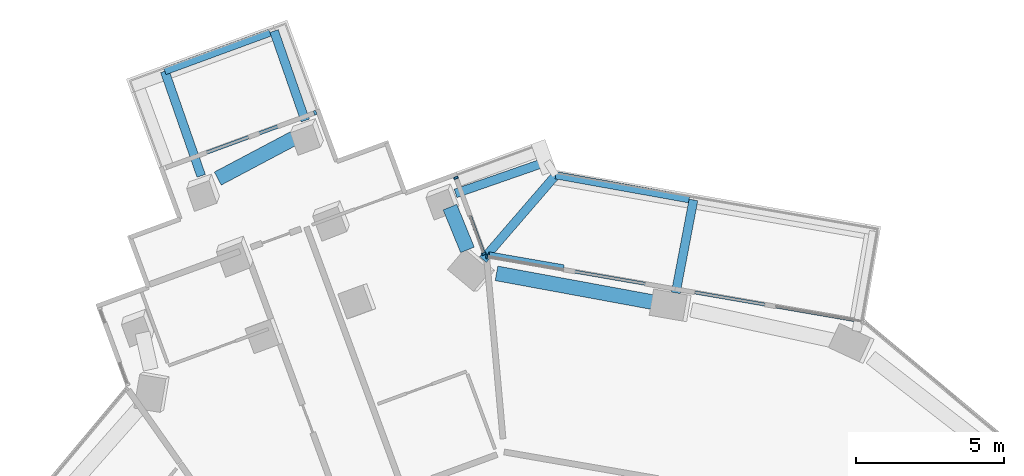
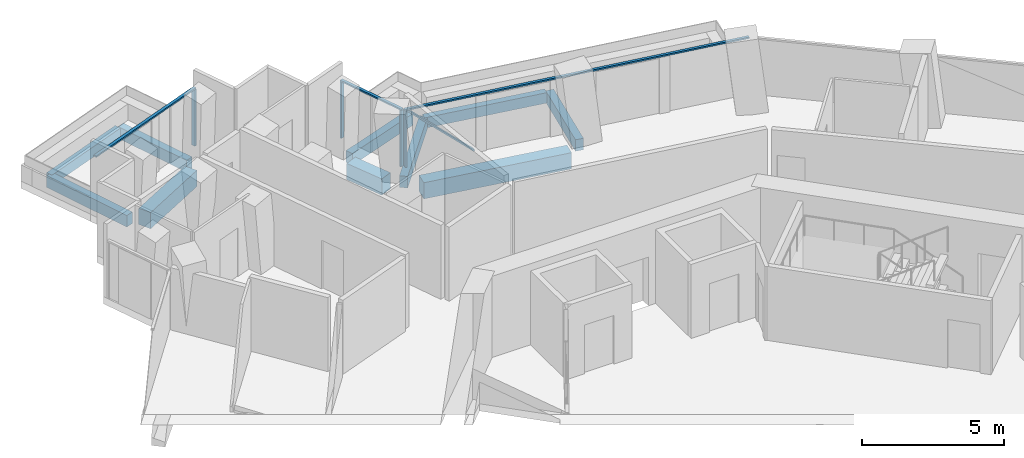
# One storey, part 8 of 24: 10 beams, 8 members, 3 elements without a shape of their own.
"""IFC4 building model written with IfcOpenShell, lengths in metres."""

from ifc_helpers import new_model, si_unit, direction, frame, origin, origin_2d, place, context, subcontext, project, spatial, rectangle, extrude, material, layer, layer_set, material_profile, profile_set, type_object, element, aggregate, save


model = new_model("IFC4")

# Units and contexts
model_context = context("Model", 3, precision=1e-05, world=origin(), true_north=direction((0.0, 1.0)))
body_context = subcontext(model_context, "Body", "Model", "MODEL_VIEW")
ifc_project = project(units=[si_unit("LENGTHUNIT", "METRE"), si_unit("AREAUNIT", "SQUARE_METRE"), si_unit("VOLUMEUNIT", "CUBIC_METRE"), si_unit("PLANEANGLEUNIT", "RADIAN"), si_unit("MASSUNIT", "GRAM", prefix="KILO")], contexts=[model_context])

# Site, building, storey
site_placement = place(None, origin())
site = spatial("IfcSite", under=ifc_project, at=site_placement, CompositionType="ELEMENT")
building_placement = place(site_placement, origin())
building = spatial("IfcBuilding", under=site, at=building_placement, Name="Verdalira Terraces Hotel", CompositionType="ELEMENT")
storey_placement = place(building_placement, frame((0.0, 0.0, 115.0)))
storey = spatial("IfcBuildingStorey", under=building, at=storey_placement, Name="L27", CompositionType="ELEMENT", Elevation=115.0)

# Beams
ifc_material_1 = material(Name="Concrete C40", Category="concrete")
ifc_material_profile_1 = material_profile(ifc_material_1, rectangle(XDim=0.300049, YDim=0.5, at=origin_2d()), Name="RC 300X500")
ifc_profile_set_1 = profile_set([ifc_material_profile_1], Name="Concrete C40")
beam_type_1 = type_object("IfcBeamType", Name="Balcony cantilever beam RC 300X500 C40", PredefinedType="BEAM", material=ifc_profile_set_1)
beam_1_placement = place(storey_placement, frame((-8.389404, 29.531006, -0.560059), z_axis=(-0.328836729, 0.944386788, 0.0), x_axis=(-0.944386788, -0.328836729, 0.0)))
element("IfcBeam", 1, at=beam_1_placement, inside=storey, type_object=beam_type_1, Name="Balcony cantilever beam R05-1", PredefinedType="BEAM", context=body_context, shape_type="SweptSolid", body=[
    extrude(rectangle(XDim=0.300049, YDim=0.5, at=origin_2d()), origin(), (0.0, 0.0, 1.0), 3.205078),
])
beam_2_placement = place(storey_placement, frame((-11.9104, 27.658447, -0.560059), z_axis=(-0.328896905, 0.944365832, 0.0), x_axis=(-0.944365832, -0.328896905, 0.0)))
element("IfcBeam", 2, at=beam_2_placement, inside=storey, type_object=beam_type_1, Name="Balcony cantilever beam R05-2", PredefinedType="BEAM", context=body_context, shape_type="SweptSolid", body=[
    extrude(rectangle(XDim=0.300049, YDim=0.5, at=origin_2d()), origin(), (0.0, 0.0, 1.0), 3.749268),
])
beam_3_placement = place(storey_placement, frame((4.15332, 23.696777, -0.560059), z_axis=(0.187410026, 0.982281773, 0.0), x_axis=(-0.982281773, 0.187410026, 0.0)))
element("IfcBeam", 3, at=beam_3_placement, inside=storey, type_object=beam_type_1, Name="Balcony cantilever beam R41-2", PredefinedType="BEAM", context=body_context, shape_type="SweptSolid", body=[
    extrude(rectangle(XDim=0.300049, YDim=0.5, at=origin_2d()), origin(), (0.0, 0.0, 1.0), 3.200684),
])
beam_4_placement = place(storey_placement, frame((-2.37207, 24.824707, -0.560059), z_axis=(0.653432697, 0.756984617, 0.0), x_axis=(-0.756984617, 0.653432697, 0.0)))
element("IfcBeam", 4, at=beam_4_placement, inside=storey, type_object=beam_type_1, Name="Balcony cantilever beam R41-3", PredefinedType="BEAM", context=body_context, shape_type="SweptSolid", body=[
    extrude(rectangle(XDim=0.300049, YDim=0.5, at=origin_2d()), origin(), (0.0, 0.0, 1.0), 3.77002),
])
beam_5_placement = place(storey_placement, frame((-3.298828, 27.062012, -0.560059), z_axis=(0.944365805, 0.328896983, 0.0), x_axis=(-0.328896983, 0.944365805, 0.0)))
element("IfcBeam", 5, at=beam_5_placement, inside=storey, type_object=beam_type_1, Name="Balcony cantilever beam R41-4", PredefinedType="BEAM", context=body_context, shape_type="SweptSolid", body=[
    extrude(rectangle(XDim=0.300049, YDim=0.5, at=origin_2d()), origin(), (0.0, 0.0, 1.0), 3.270508),
])
ifc_material_2 = material(Name="Concrete C40", Category="concrete")
ifc_material_profile_2 = material_profile(ifc_material_2, rectangle(XDim=0.25, YDim=0.449951, at=origin_2d()), Name="RC 250X450")
ifc_profile_set_2 = profile_set([ifc_material_profile_2], Name="Concrete C40")
beam_type_2 = type_object("IfcBeamType", Name="Balcony edge beam RC 250X450 C40", PredefinedType="BEAM", material=ifc_profile_set_2)
beam_6_placement = place(storey_placement, frame((-9.584229, 32.506104, -0.534912), z_axis=(-0.938722913, -0.344672732, 0.0), x_axis=(0.344672732, -0.938722913, 0.0)))
element("IfcBeam", 6, at=beam_6_placement, inside=storey, type_object=beam_type_2, Name="Balcony edge beam R05-1", PredefinedType="BEAM", context=body_context, shape_type="SweptSolid", body=[
    extrude(rectangle(XDim=0.25, YDim=0.449951, at=origin_2d()), origin(), (0.0, 0.0, 1.0), 3.791748),
])
beam_7_placement = place(storey_placement, frame((4.605469, 26.867432, -0.534912), z_axis=(-0.984240813, 0.176833314, 0.0), x_axis=(-0.176833314, -0.984240813, 0.0)))
element("IfcBeam", 7, at=beam_7_placement, inside=storey, type_object=beam_type_2, Name="Balcony edge beam R41-2", PredefinedType="BEAM", context=body_context, shape_type="SweptSolid", body=[
    extrude(rectangle(XDim=0.25, YDim=0.449951, at=origin_2d()), origin(), (0.0, 0.0, 1.0), 4.586426),
])

# Curtain wall, members
ifc_material_3 = material(Name="Clear glass", Category="glass")
ifc_layer_1 = layer(ifc_material_3, 0.14990234375)
ifc_layer_set_1 = layer_set([ifc_layer_1], Name="CW1 curtain wall")
curtain_wall_type_1 = type_object("IfcCurtainWallType", Name="CW1 curtain wall", PredefinedType="NOTDEFINED", material=ifc_layer_set_1)
curtain_wall_1_placement = place(storey_placement, origin())
curtain_wall_1 = element("IfcCurtainWall", 8, at=curtain_wall_1_placement, inside=storey, type_object=curtain_wall_type_1, Name="CW1 curtain wall L27 edge 41", PredefinedType="NOTDEFINED")
ifc_material_4 = material(Name="Terracotta frame", Category="masonry")
ifc_material_profile_3 = material_profile(ifc_material_4, rectangle(XDim=0.060059, YDim=0.149902, at=origin_2d()), Name="MU 60x150")
ifc_profile_set_3 = profile_set([ifc_material_profile_3], Name="Terracotta frame")
member_type_1 = type_object("IfcMemberType", Name="CW1 mullion 60x150", PredefinedType="MULLION", material=ifc_profile_set_3)
member_1_placement = place(storey_placement, frame((-2.241943, 24.93335, 0.0), z_axis=(0.0, 0.0, 1.0), x_axis=(-0.98528883, 0.170897402, 0.0)))
member_1 = element("IfcMember", 9, at=member_1_placement, type_object=member_type_1, Name="CW1 mullion", PredefinedType="MULLION", context=body_context, shape_type="SweptSolid", body=[
    extrude(rectangle(XDim=0.060059, YDim=0.149902, at=origin_2d()), origin(), (0.0, 0.0, 1.0), 2.425049),
])
ifc_material_5 = material(Name="Terracotta frame", Category="masonry")
ifc_material_profile_4 = material_profile(ifc_material_5, rectangle(XDim=0.110107, YDim=0.064941, at=origin_2d()), Name="TR 65x110")
ifc_profile_set_4 = profile_set([ifc_material_profile_4], Name="Terracotta frame")
member_type_2 = type_object("IfcMemberType", Name="CW1 transom 65x110", PredefinedType="USERDEFINED", material=ifc_profile_set_4)
member_2_placement = place(storey_placement, frame((10.497559, 22.723633, 2.45752), z_axis=(-0.985287979, 0.170902309, 0.0), x_axis=(-0.170902309, -0.985287979, 0.0)))
member_2 = element("IfcMember", 10, at=member_2_placement, type_object=member_type_2, Name="CW1 transom", ObjectType="TRANSOM", PredefinedType="USERDEFINED", context=body_context, shape_type="SweptSolid", body=[
    extrude(rectangle(XDim=0.110107, YDim=0.064941, at=origin_2d()), origin(), (0.0, 0.0, 1.0), 12.959717),
])

ifc_material_6 = material(Name="Clear glass", Category="glass")
ifc_layer_2 = layer(ifc_material_6, 0.14990234375)
ifc_layer_set_2 = layer_set([ifc_layer_2], Name="CW2 curtain wall")
curtain_wall_type_2 = type_object("IfcCurtainWallType", Name="CW2 curtain wall", PredefinedType="NOTDEFINED", material=ifc_layer_set_2)
curtain_wall_2_placement = place(storey_placement, origin())
curtain_wall_2 = element("IfcCurtainWall", 11, at=curtain_wall_2_placement, inside=storey, type_object=curtain_wall_type_2, Name="CW2 curtain wall L27 edge 0", PredefinedType="NOTDEFINED")
ifc_material_7 = material(Name="Terracotta frame", Category="masonry")
ifc_material_profile_5 = material_profile(ifc_material_7, rectangle(XDim=0.070068, YDim=0.149902, at=origin_2d()), Name="MU 70x150")
ifc_profile_set_5 = profile_set([ifc_material_profile_5], Name="Terracotta frame")
member_type_3 = type_object("IfcMemberType", Name="CW2 mullion 70x150", PredefinedType="MULLION", material=ifc_profile_set_5)
member_3_placement = place(storey_placement, frame((-2.341064, 25.019287, 0.0), z_axis=(0.0, 0.0, 1.0), x_axis=(-0.344642923, 0.938733858, 0.0)))
member_3 = element("IfcMember", 12, at=member_3_placement, type_object=member_type_3, Name="CW2 mullion", PredefinedType="MULLION", context=body_context, shape_type="SweptSolid", body=[
    extrude(rectangle(XDim=0.070068, YDim=0.149902, at=origin_2d()), origin(), (0.0, 0.0, 1.0), 2.425049),
])
member_4_placement = place(storey_placement, frame((-3.285156, 27.59082, 0.0), z_axis=(0.0, 0.0, 1.0), x_axis=(-0.344642923, 0.938733858, 0.0)))
member_4 = element("IfcMember", 13, at=member_4_placement, type_object=member_type_3, Name="CW2 mullion", PredefinedType="MULLION", context=body_context, shape_type="SweptSolid", body=[
    extrude(rectangle(XDim=0.070068, YDim=0.149902, at=origin_2d()), origin(), (0.0, 0.0, 1.0), 2.425049),
])
ifc_material_8 = material(Name="Terracotta frame", Category="masonry")
ifc_material_profile_6 = material_profile(ifc_material_8, rectangle(XDim=0.11499, YDim=0.064941, at=origin_2d()), Name="TR 65x115")
ifc_profile_set_6 = profile_set([ifc_material_profile_6], Name="Terracotta frame")
member_type_4 = type_object("IfcMemberType", Name="CW2 transom 65x115", PredefinedType="USERDEFINED", material=ifc_profile_set_6)
member_5_placement = place(storey_placement, frame((-2.329102, 24.986328, 2.45752), z_axis=(-0.344629952, 0.93873862, 0.0), x_axis=(-0.93873862, -0.344629952, 0.0)))
member_5 = element("IfcMember", 14, at=member_5_placement, type_object=member_type_4, Name="CW2 transom", ObjectType="TRANSOM", PredefinedType="USERDEFINED", context=body_context, shape_type="SweptSolid", body=[
    extrude(rectangle(XDim=0.11499, YDim=0.064941, at=origin_2d()), origin(), (0.0, 0.0, 1.0), 2.80957),
])
aggregate(curtain_wall_2, [member_3, member_4, member_5])

ifc_material_9 = material(Name="Clear glass", Category="glass")
ifc_layer_3 = layer(ifc_material_9, 0.14990234375)
ifc_layer_set_3 = layer_set([ifc_layer_3], Name="CW3 curtain wall")
curtain_wall_type_3 = type_object("IfcCurtainWallType", Name="CW3 curtain wall", PredefinedType="NOTDEFINED", material=ifc_layer_set_3)
curtain_wall_3_placement = place(storey_placement, origin())
curtain_wall_3 = element("IfcCurtainWall", 15, at=curtain_wall_3_placement, inside=storey, type_object=curtain_wall_type_3, Name="CW3 curtain wall L27 edge 5", PredefinedType="NOTDEFINED")
ifc_material_10 = material(Name="Terracotta frame", Category="masonry")
ifc_material_profile_7 = material_profile(ifc_material_10, rectangle(XDim=0.080078, YDim=0.149902, at=origin_2d()), Name="MU 80x150")
ifc_profile_set_7 = profile_set([ifc_material_profile_7], Name="Terracotta frame")
member_type_5 = type_object("IfcMemberType", Name="CW3 mullion 80x150", PredefinedType="MULLION", material=ifc_profile_set_7)
member_6_placement = place(storey_placement, frame((-8.05127, 29.793213, 0.0), z_axis=(0.0, 0.0, 1.0), x_axis=(-0.938733858, -0.344642923, 0.0)))
member_6 = element("IfcMember", 16, at=member_6_placement, type_object=member_type_5, Name="CW3 mullion", PredefinedType="MULLION", context=body_context, shape_type="SweptSolid", body=[
    extrude(rectangle(XDim=0.080078, YDim=0.149902, at=origin_2d()), origin(), (0.0, 0.0, 1.0), 2.425049),
])
ifc_material_11 = material(Name="Terracotta frame", Category="masonry")
ifc_material_profile_8 = material_profile(ifc_material_11, rectangle(XDim=0.120117, YDim=0.064941, at=origin_2d()), Name="TR 65x120")
ifc_profile_set_8 = profile_set([ifc_material_profile_8], Name="Terracotta frame")
member_type_6 = type_object("IfcMemberType", Name="CW3 transom 65x120", PredefinedType="USERDEFINED", material=ifc_profile_set_8)
member_7_placement = place(storey_placement, frame((-8.013672, 29.806885, 2.45752), z_axis=(-0.938736594, -0.34463547, 0.0), x_axis=(0.34463547, -0.938736594, 0.0)))
member_7 = element("IfcMember", 17, at=member_7_placement, type_object=member_type_6, Name="CW3 transom", ObjectType="TRANSOM", PredefinedType="USERDEFINED", context=body_context, shape_type="SweptSolid", body=[
    extrude(rectangle(XDim=0.120117, YDim=0.064941, at=origin_2d()), origin(), (0.0, 0.0, 1.0), 5.5),
])
aggregate(curtain_wall_3, [member_6, member_7])

# Member
ifc_material_12 = material(Name="Terracotta frame", Category="masonry")
ifc_material_profile_9 = material_profile(ifc_material_12, rectangle(XDim=0.149902, YDim=0.060059, at=origin_2d()), Name="GB 60x150")
ifc_profile_set_9 = profile_set([ifc_material_profile_9], Name="Terracotta frame")
member_type_7 = type_object("IfcMemberType", Name="Diagonal glazing bar 60x150", PredefinedType="USERDEFINED", material=ifc_profile_set_9)
member_8_placement = place(storey_placement, frame((0.344238, 24.574951, 0.023438), z_axis=(-0.721139223, 0.125074879, 0.681406263), x_axis=(-0.170889408, -0.985290216, 0.0)))
member_8 = element("IfcMember", 18, at=member_8_placement, type_object=member_type_7, Name="Diagonal glazing bar", ObjectType="GLAZING BAR", PredefinedType="USERDEFINED", context=body_context, shape_type="SweptSolid", body=[
    extrude(rectangle(XDim=0.149902, YDim=0.060059, at=origin_2d()), origin(), (0.0, 0.0, 1.0), 3.48999),
])

aggregate(curtain_wall_1, [member_1, member_2, member_8])

# Beams
ifc_material_13 = material(Name="Concrete C70", Category="concrete")
ifc_material_profile_10 = material_profile(ifc_material_13, rectangle(XDim=0.5, YDim=0.699951, at=origin_2d()), Name="RC 500X700")
ifc_profile_set_10 = profile_set([ifc_material_profile_10], Name="Concrete C70")
beam_type_3 = type_object("IfcBeamType", Name="Spandrel beam RC 500X700 C70", PredefinedType="SPANDREL", material=ifc_profile_set_10)
beam_8_placement = place(storey_placement, frame((-2.896729, 25.151123, -0.659912), z_axis=(-0.379124872, 0.92534552, 0.0), x_axis=(-0.92534552, -0.379124872, 0.0)))
element("IfcBeam", 19, at=beam_8_placement, inside=storey, type_object=beam_type_3, Name="Spandrel beam B01", PredefinedType="SPANDREL", context=body_context, shape_type="SweptSolid", body=[
    extrude(rectangle(XDim=0.5, YDim=0.699951, at=origin_2d()), origin(), (0.0, 0.0, 1.0), 1.564697),
])
beam_9_placement = place(storey_placement, frame((-8.629883, 29.005615, -0.659912), z_axis=(-0.883722271, -0.468011696, 0.0), x_axis=(0.468011696, -0.883722271, 0.0)))
element("IfcBeam", 20, at=beam_9_placement, inside=storey, type_object=beam_type_3, Name="Spandrel beam B02", PredefinedType="SPANDREL", context=body_context, shape_type="SweptSolid", body=[
    extrude(rectangle(XDim=0.5, YDim=0.699951, at=origin_2d()), origin(), (0.0, 0.0, 1.0), 3.076172),
])
beam_10_placement = place(storey_placement, frame((3.539795, 23.352295, -0.659912), z_axis=(-0.983443072, 0.181217338, 0.0), x_axis=(-0.181217338, -0.983443072, 0.0)))
element("IfcBeam", 21, at=beam_10_placement, inside=storey, type_object=beam_type_3, Name="Spandrel beam B29", PredefinedType="SPANDREL", context=body_context, shape_type="SweptSolid", body=[
    extrude(rectangle(XDim=0.5, YDim=0.699951, at=origin_2d()), origin(), (0.0, 0.0, 1.0), 5.545166),
])

save(model, "model.ifc")
